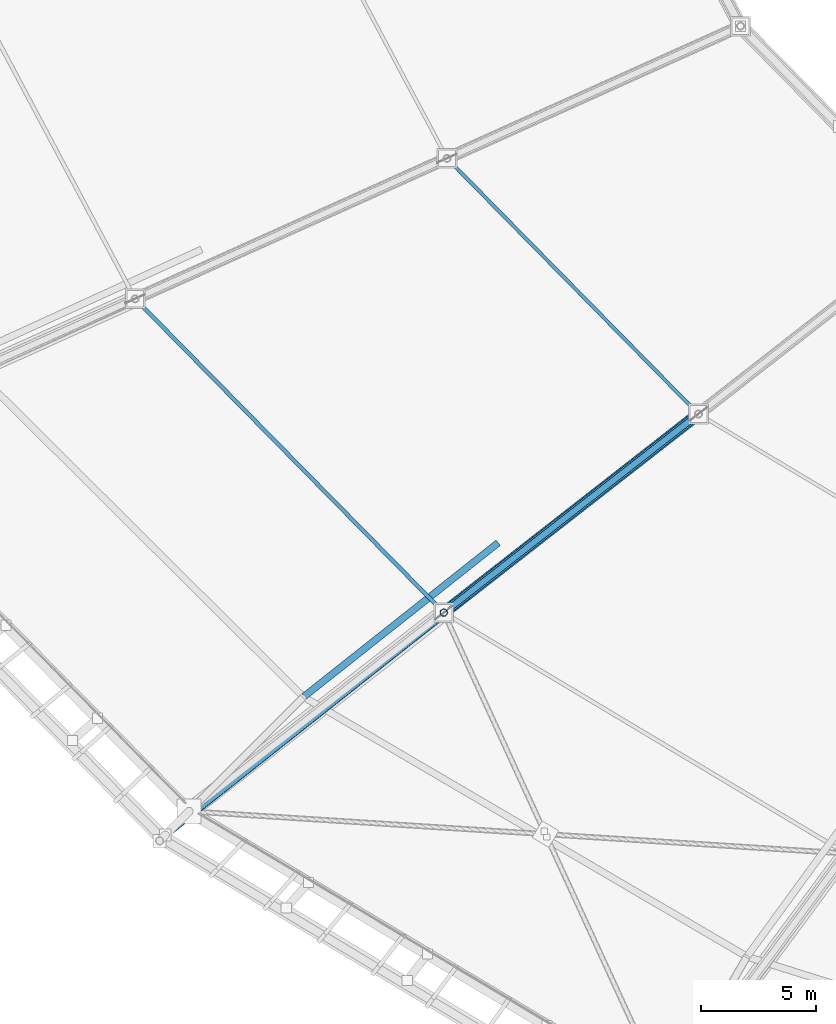
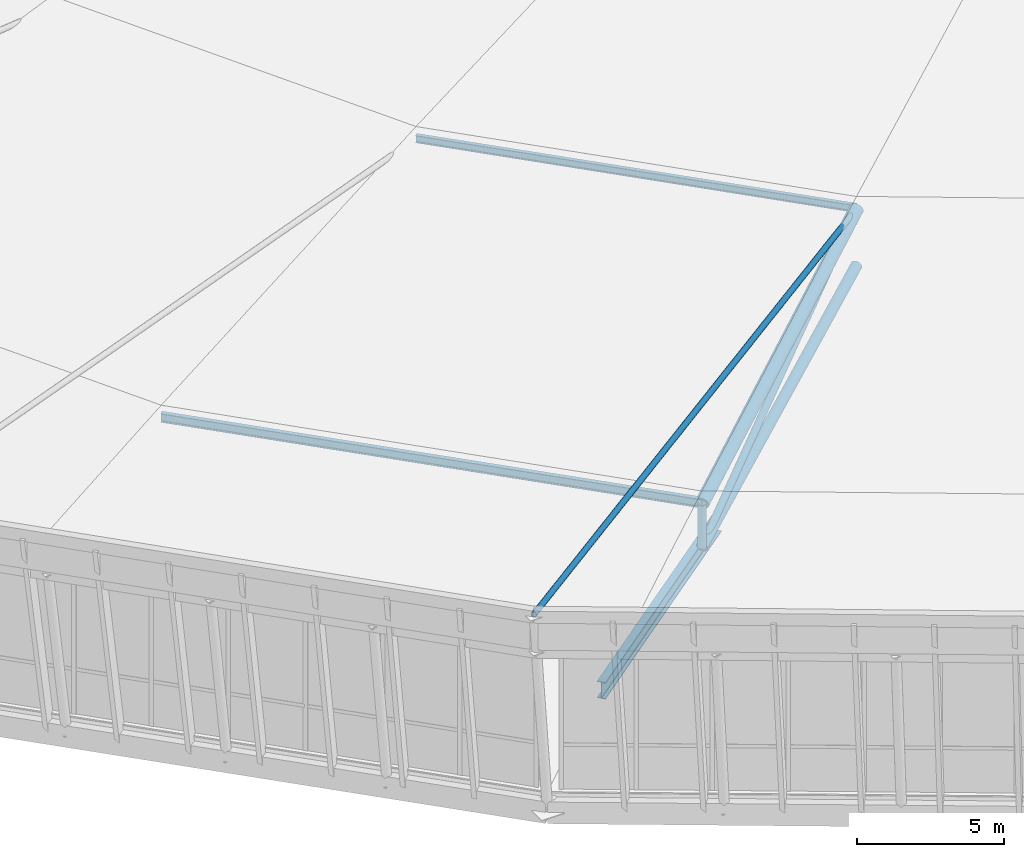
# One storey, part 9 of 115: 7 members, 1 beam.
"""IFC4 building model written with IfcOpenShell, lengths in metres."""

from ifc_helpers import new_model, si_unit, direction, frame, origin, origin_2d, place, context, subcontext, project, spatial, hollow_circle, i_section, extrude, material, material_profile, profile_set, type_object, element, save


model = new_model("IFC4")

# Units and contexts
model_context = context("Model", 3, precision=1e-05, world=origin(), true_north=direction((0.0, 1.0)))
body_context = subcontext(model_context, "Body", "Model", "MODEL_VIEW")
ifc_project = project(units=[si_unit("LENGTHUNIT", "METRE"), si_unit("AREAUNIT", "SQUARE_METRE"), si_unit("VOLUMEUNIT", "CUBIC_METRE"), si_unit("PLANEANGLEUNIT", "RADIAN"), si_unit("MASSUNIT", "GRAM", prefix="KILO")], contexts=[model_context])

# Site, building, storey
site_placement = place(None, origin())
site = spatial("IfcSite", under=ifc_project, at=site_placement, CompositionType="ELEMENT")
building_placement = place(site_placement, origin())
building = spatial("IfcBuilding", under=site, at=building_placement, Name="Zlatoyarsky Gate Stadium", CompositionType="ELEMENT")
storey_placement = place(building_placement, frame((0.0, 0.0, 31.800048828125)))
storey = spatial("IfcBuildingStorey", under=building, at=storey_placement, Name="RF", CompositionType="ELEMENT", Elevation=31.800048828125)

# Members
ifc_material = material(Name="Steel S355", Category="steel")
ifc_material_profile_1 = material_profile(ifc_material, hollow_circle(Radius=0.203125, WallThickness=0.02001953125, at=origin_2d()), Name="CHS 406.4X20")
ifc_profile_set_1 = profile_set([ifc_material_profile_1], Name="Steel S355")
member_type_1 = type_object("IfcMemberType", Name="STEEL ARCH INNER CHORD CHS 406.4X20", PredefinedType="CHORD", material=ifc_profile_set_1)
member_1_placement = place(storey_placement, frame((51.33203125, 33.455322265625, 1.349853515625), z_axis=(0.775280414707, 0.604760130163, 0.182223663495), x_axis=(-0.61505798075, 0.788481883315, 0.0)))
element("IfcMember", 1, at=member_1_placement, inside=storey, type_object=member_type_1, Name="Radial truss R16 bottom chord 2", PredefinedType="CHORD", context=body_context, shape_type="SweptSolid", body=[
    extrude(hollow_circle(Radius=0.203125, WallThickness=0.02001953125, at=origin_2d()), origin(), (0.0, 0.0, 1.0), 14.268798828125),
])
ifc_material_profile_2 = material_profile(ifc_material, hollow_circle(Radius=0.25390625, WallThickness=0.02490234375, at=origin_2d()), Name="CHS 508X25")
ifc_profile_set_2 = profile_set([ifc_material_profile_2], Name="Steel S355")
member_type_2 = type_object("IfcMemberType", Name="STEEL ARCH TOP CHORD CHS 508X25", PredefinedType="CHORD", material=ifc_profile_set_2)
member_2_placement = place(storey_placement, frame((51.33203125, 33.455322265625, 3.14990234375), z_axis=(0.769327603611, 0.600116619576, 0.21907779721), x_axis=(-0.61505798075, 0.788481883315, 0.0)))
element("IfcMember", 2, at=member_2_placement, inside=storey, type_object=member_type_2, Name="Radial truss R16 top chord 2", PredefinedType="CHORD", context=body_context, shape_type="SweptSolid", body=[
    extrude(hollow_circle(Radius=0.25390625, WallThickness=0.02490234375, at=origin_2d()), origin(), (0.0, 0.0, 1.0), 14.379150390625),
])
ifc_material_profile_3 = material_profile(ifc_material, i_section(OverallWidth=0.14990234375, OverallDepth=0.300048828125, WebThickness=0.007080078125, FlangeThickness=0.0107421875, FilletRadius=0.014892578125, at=origin_2d()), Name="IPE 300")
ifc_profile_set_3 = profile_set([ifc_material_profile_3], Name="Steel S355")
member_type_3 = type_object("IfcMemberType", Name="STEEL BOWL ROOF PURLIN IPE 300", PredefinedType="PURLIN", material=ifc_profile_set_3)
member_3_placement = place(storey_placement, frame((51.47021484375, 53.189697265625, 6.329833984375), z_axis=(0.701268357543, -0.712897391431, 0.0), x_axis=(0.712897391431, 0.701268357543, 0.0)))
element("IfcMember", 3, at=member_3_placement, inside=storey, type_object=member_type_3, Name="Stadium roof purlin 14.2", PredefinedType="PURLIN", context=body_context, shape_type="SweptSolid", body=[
    extrude(i_section(OverallWidth=0.14990234375, OverallDepth=0.300048828125, WebThickness=0.007080078125, FlangeThickness=0.0107421875, FilletRadius=0.014892578125, at=origin_2d()), origin(), (0.0, 0.0, 1.0), 15.57763671875),
])
ifc_material_profile_4 = material_profile(ifc_material, hollow_circle(Radius=0.109619140625, WallThickness=0.012451171875, at=origin_2d()), Name="CHS 219.1X12.5")
ifc_profile_set_4 = profile_set([ifc_material_profile_4], Name="Steel S355")
member_type_4 = type_object("IfcMemberType", Name="STEEL CANOPY WIND BRACE CHS 219.1X12.5", PredefinedType="BRACE", material=ifc_profile_set_4)
member_4_placement = place(storey_placement, frame((38.9853515625, 23.54150390625, 8.849853515625), z_axis=(0.781026517162, 0.618676157728, -0.08507285906), x_axis=(-0.620927184532, 0.783868248821, 0.0)))
element("IfcMember", 4, at=member_4_placement, inside=storey, type_object=member_type_4, Name="Crown fascia tie brace 15", PredefinedType="BRACE", context=body_context, shape_type="SweptSolid", body=[
    extrude(hollow_circle(Radius=0.109619140625, WallThickness=0.012451171875, at=origin_2d()), origin(), (0.0, 0.0, 1.0), 29.971923828125),
])
ifc_material_profile_5 = material_profile(ifc_material, i_section(OverallWidth=0.169921875, OverallDepth=0.360107421875, WebThickness=0.008056640625, FlangeThickness=0.0126953125, FilletRadius=0.01806640625, at=origin_2d()), Name="IPE 360")
ifc_profile_set_5 = profile_set([ifc_material_profile_5], Name="Steel S355")
member_type_5 = type_object("IfcMemberType", Name="STEEL LONG SPAN PURLIN IPE 360", PredefinedType="PURLIN", material=ifc_profile_set_5)
member_5_placement = place(storey_placement, frame((37.921875, 47.087890625, 3.179931640625), z_axis=(0.701267484698, -0.712898250037, 0.0), x_axis=(0.712898250037, 0.701267484698, 0.0)))
element("IfcMember", 5, at=member_5_placement, inside=storey, type_object=member_type_5, Name="Stadium roof purlin 14.1", PredefinedType="PURLIN", context=body_context, shape_type="SweptSolid", body=[
    extrude(i_section(OverallWidth=0.169921875, OverallDepth=0.360107421875, WebThickness=0.008056640625, FlangeThickness=0.0126953125, FilletRadius=0.01806640625, at=origin_2d()), origin(), (0.0, 0.0, 1.0), 19.122802734375),
])

# Beam
ifc_material_profile_6 = material_profile(ifc_material, i_section(OverallWidth=0.300048828125, OverallDepth=0.699951171875, WebThickness=0.01708984375, FlangeThickness=0.031982421875, FilletRadius=0.027099609375, at=origin_2d()), Name="HEB 700")
ifc_profile_set_6 = profile_set([ifc_material_profile_6], Name="Steel S355")
beam_type = type_object("IfcBeamType", Name="STEEL ROOF RING GIRDER HEB 700", PredefinedType="BEAM", material=ifc_profile_set_6)
beam_placement = place(storey_placement, frame((53.693115234375, 36.488037109375, -0.300048828125), z_axis=(-0.784053658736, -0.620693048312, 0.0), x_axis=(0.620693048312, -0.784053658736, 0.0)))
element("IfcBeam", 6, at=beam_placement, inside=storey, type_object=beam_type, Name="RF roof tie girder BM-RF-RBC-15", PredefinedType="BEAM", context=body_context, shape_type="SweptSolid", body=[
    extrude(i_section(OverallWidth=0.300048828125, OverallDepth=0.699951171875, WebThickness=0.01708984375, FlangeThickness=0.031982421875, FilletRadius=0.027099609375, at=origin_2d()), origin(), (0.0, 0.0, 1.0), 10.742431640625),
])

# Members
ifc_material_profile_7 = material_profile(ifc_material, hollow_circle(Radius=0.136474609375, WallThickness=0.01611328125, at=origin_2d()), Name="CHS 273X16")
ifc_profile_set_7 = profile_set([ifc_material_profile_7], Name="Steel S355")
member_type_6 = type_object("IfcMemberType", Name="STEEL ROOF TRUSS DIAGONAL CHS 273X16", PredefinedType="BRACE", material=ifc_profile_set_7)
member_6_placement = place(storey_placement, frame((51.33203125, 33.455322265625, 1.349853515625), z_axis=(0.743555815667, 0.580013248543, 0.332730191752), x_axis=(-0.61505798075, 0.788481883315, 0.0)))
element("IfcMember", 7, at=member_6_placement, inside=storey, type_object=member_type_6, Name="Radial truss R16 web diagonal 2", PredefinedType="BRACE", context=body_context, shape_type="SweptSolid", body=[
    extrude(hollow_circle(Radius=0.136474609375, WallThickness=0.01611328125, at=origin_2d()), origin(), (0.0, 0.0, 1.0), 14.87744140625),
])
ifc_material_profile_8 = material_profile(ifc_material, hollow_circle(Radius=0.161865234375, WallThickness=0.01611328125, at=origin_2d()), Name="CHS 323.9X16")
ifc_profile_set_8 = profile_set([ifc_material_profile_8], Name="Steel S355")
member_type_7 = type_object("IfcMemberType", Name="STEEL TRUSS WEB STRUT CHS 323.9X16", PredefinedType="STRUT", material=ifc_profile_set_8)
member_7_placement = place(storey_placement, frame((51.33203125, 33.455322265625, 1.349853515625), z_axis=(0.0, 0.0, 1.0), x_axis=(1.0, 0.0, 0.0)))
element("IfcMember", 8, at=member_7_placement, inside=storey, type_object=member_type_7, Name="Radial truss R16 web strut 1", PredefinedType="STRUT", context=body_context, shape_type="SweptSolid", body=[
    extrude(hollow_circle(Radius=0.161865234375, WallThickness=0.01611328125, at=origin_2d()), origin(), (0.0, 0.0, 1.0), 1.800048828125),
])

save(model, "model.ifc")
